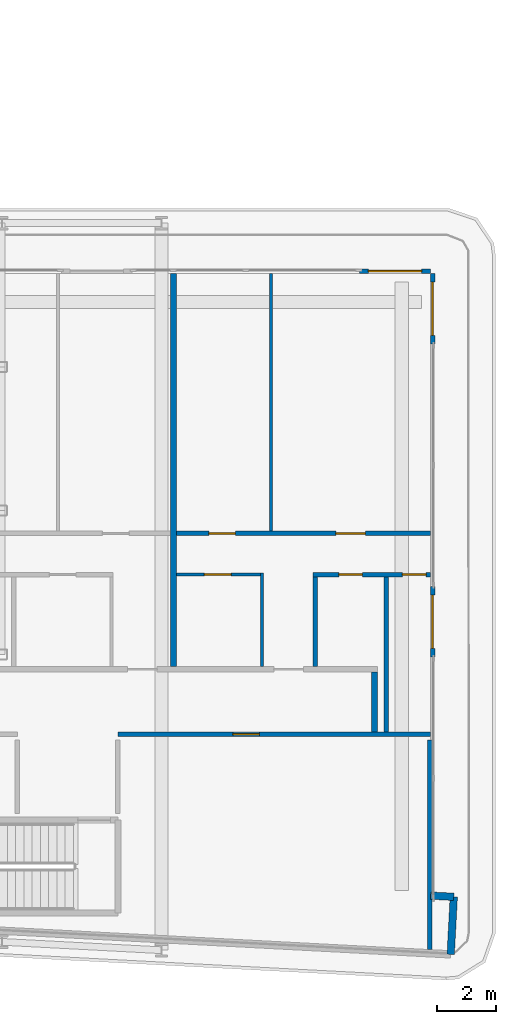
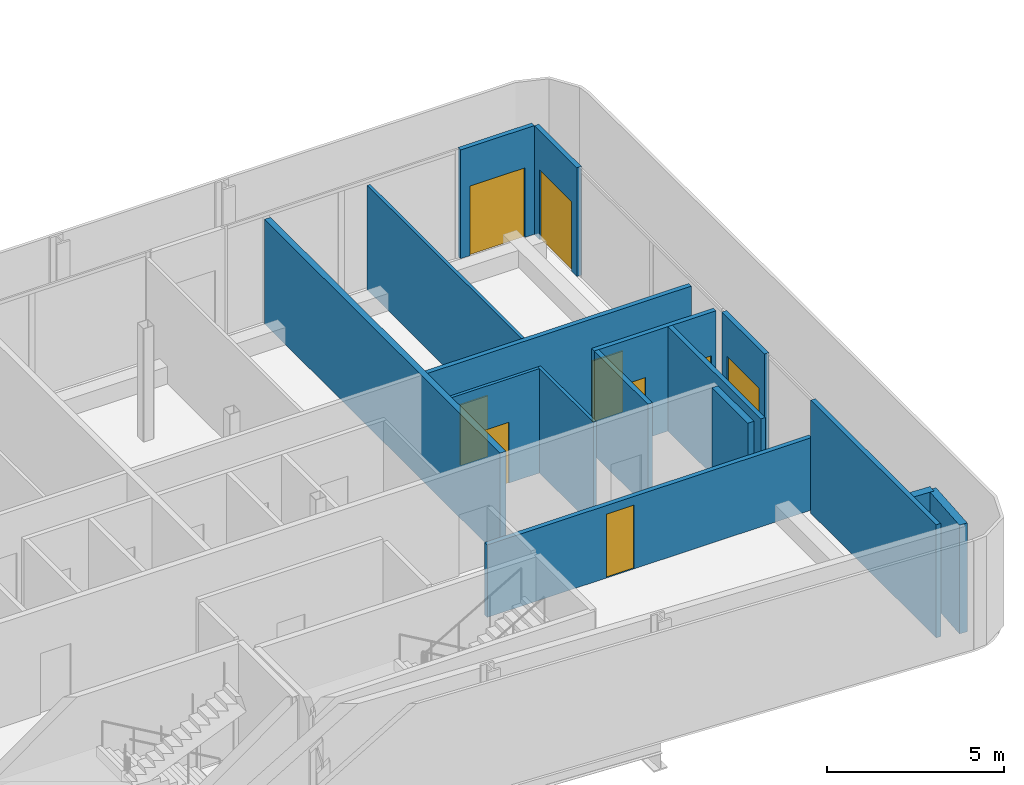
# One storey, part 19 of 28: 16 walls, 9 doors, 9 openings.
"""IFC4 building model written with IfcOpenShell, lengths in metres."""

from ifc_helpers import new_model, si_unit, direction, frame, frame_2d, origin, place, context, subcontext, project, spatial, rectangle, extrude, source, transform, mapped, material, layer, layer_set, type_object, element, fill, save


model = new_model("IFC4")

# Units and contexts
model_context = context("Model", 3, precision=1e-05, world=origin(), true_north=direction((0.0, 1.0)))
body_context = subcontext(model_context, "Body", "Model", "MODEL_VIEW")
ifc_project = project(units=[si_unit("LENGTHUNIT", "METRE"), si_unit("AREAUNIT", "SQUARE_METRE"), si_unit("VOLUMEUNIT", "CUBIC_METRE"), si_unit("PLANEANGLEUNIT", "RADIAN"), si_unit("MASSUNIT", "GRAM", prefix="KILO")], contexts=[model_context])

# Site, building, storey
site_placement = place(None, origin())
site = spatial("IfcSite", under=ifc_project, at=site_placement, CompositionType="ELEMENT")
building_placement = place(site_placement, origin())
building = spatial("IfcBuilding", under=site, at=building_placement, Name="Kheshtan School and Residences Tower", CompositionType="ELEMENT")
storey_placement = place(building_placement, frame((0.0, 0.0, 125.300048828125)))
storey = spatial("IfcBuildingStorey", under=building, at=storey_placement, Name="L29", CompositionType="ELEMENT", Elevation=125.300048828125)

# Walls
ifc_material_1 = material(Name="Gypsum board on steel studs with fire boards", Category="steel")
ifc_layer_1 = layer(ifc_material_1, 0.199951171875)
ifc_layer_set_1 = layer_set([ifc_layer_1], Name="Corridor wall 200")
wall_type_1 = type_object("IfcWallType", Name="Corridor wall 200", PredefinedType="PARTITIONING", material=ifc_layer_set_1)
wall_1_placement = place(storey_placement, frame((98.0, 28.3740234375, 0.0), z_axis=(0.0, 0.0, 1.0), x_axis=(0.0, 1.0, 0.0)))
element("IfcWall", 1, at=wall_1_placement, inside=storey, type_object=wall_type_1, Name="Partition L29-086", PredefinedType="PARTITIONING", context=body_context, shape_type="SweptSolid", body=[
    extrude(rectangle(XDim=2.02587890625, YDim=0.199951171875, at=frame_2d((1.012939453125, 0.0))), origin(), (0.0, 0.0, 1.0), 3.599853515625),
])
ifc_material_2 = material(Name="Concrete C40/50 with ceramic cladding and mineral wool insulation", Category="concrete")
ifc_layer_2 = layer(ifc_material_2, 0.25)
ifc_layer_set_2 = layer_set([ifc_layer_2], Name="External wall 250 ceramic clad")
wall_type_2 = type_object("IfcWallType", Name="External wall 250 ceramic clad", PredefinedType="SOLIDWALL", material=ifc_layer_set_2)
wall_2_placement = place(storey_placement, frame((99.906982421875, 22.839111328125, 0.0), z_axis=(0.0, 0.0, 1.0), x_axis=(0.998561284263, -0.053622398031, 0.0)))
element("IfcWall", 2, at=wall_2_placement, inside=storey, type_object=wall_type_2, Name="External wall L29 14", PredefinedType="SOLIDWALL", context=body_context, shape_type="SweptSolid", body=[
    extrude(rectangle(XDim=0.783203125, YDim=0.25, at=frame_2d((0.3916015625, 0.0))), origin(), (0.0, 0.0, 1.0), 3.75),
])
wall_3_placement = place(storey_placement, frame((100.68896484375, 22.797119140625, 0.0), z_axis=(0.0, 0.0, 1.0), x_axis=(-0.052841433274, -0.998602915542, 0.0)))
element("IfcWall", 3, at=wall_3_placement, inside=storey, type_object=wall_type_2, Name="External wall L29 15", PredefinedType="SOLIDWALL", context=body_context, shape_type="SweptSolid", body=[
    extrude(rectangle(XDim=1.94970703125, YDim=0.25, at=frame_2d((0.974853515625, 0.0))), origin(), (0.0, 0.0, 1.0), 3.75),
])

# Wall, opening, door
ifc_material_3 = material(Name="Aluminium frame wall with insulated infill", Category="aluminium")
ifc_layer_3 = layer(ifc_material_3, 0.14990234375)
ifc_layer_set_3 = layer_set([ifc_layer_3], Name="Glazing frame wall 150")
wall_type_3 = type_object("IfcWallType", Name="Glazing frame wall 150", PredefinedType="SOLIDWALL", material=ifc_layer_set_3)
wall_4_placement = place(storey_placement, frame((97.5, 43.97509765625, 0.0), z_axis=(0.0, 0.0, 1.0), x_axis=(1.0, 0.0, 0.0)))
wall_4 = element("IfcWall", 4, at=wall_4_placement, inside=storey, type_object=wall_type_3, Name="Balcony door wall L29 12.5", PredefinedType="SOLIDWALL", context=body_context, shape_type="SweptSolid", body=[
    extrude(rectangle(XDim=2.39990234375, YDim=0.14990234375, at=frame_2d((1.199951171875, 0.0))), origin(), (0.0, 0.0, 1.0), 3.75),
])
opening_1_placement = place(wall_4_placement, frame((0.300048828125, 0.0, 0.0)))
opening_1 = element("IfcOpeningElement", 5, at=opening_1_placement, cuts=wall_4, Name="Opening BD", PredefinedType="OPENING", context=body_context, shape_type="SweptSolid", body=[
    extrude(rectangle(XDim=1.800048828125, YDim=2.39990234375, at=frame_2d((0.89990234375, 1.199951171875))), frame((0.0, 0.0849609375, 0.0), z_axis=(0.0, -1.0, 0.0), x_axis=(1.0, 0.0, 0.0)), (0.0, 0.0, 1.0), 0.169921875),
])
ifc_material_4 = material(Name="Clear low-e glass in thermally broken aluminium frame", Category="aluminium")
door_type_1 = type_object("IfcDoorType", Name="Balcony sliding door", OperationType="SLIDING_TO_LEFT", PredefinedType="DOOR", material=ifc_material_4)
shared_shape_1 = source(origin(), body_context, "Body", "SweptSolid", [
    extrude(rectangle(XDim=1.800048828125, YDim=2.39990234375, at=frame_2d((0.89990234375, 1.199951171875))), frame((0.0, 0.02490234375, 0.0), z_axis=(0.0, -1.0, 0.0), x_axis=(1.0, 0.0, 0.0)), (0.0, 0.0, 1.0), 0.050048828125),
])
door_1_placement = place(opening_1_placement, origin())
door_1 = element("IfcDoor", 6, at=door_1_placement, inside=storey, type_object=door_type_1, Name="Balcony door L29 12.5", OperationType="SLIDING_TO_LEFT", OverallHeight=2.39990234375, OverallWidth=1.800048828125, PredefinedType="DOOR", context=body_context, shape_type="MappedRepresentation", body=[
    mapped(shared_shape_1, transform((0.0, 0.0, 0.0), x_axis=(1.0, 0.0, 0.0), y_axis=(0.0, 1.0, 0.0), z_axis=(0.0, 0.0, 1.0), scale=1.0)),
])
fill(opening_1, door_1)

wall_5_placement = place(storey_placement, frame((99.97509765625, 43.89990234375, 0.0), z_axis=(0.0, 0.0, 1.0), x_axis=(0.0, -1.0, 0.0)))
wall_5 = element("IfcWall", 7, at=wall_5_placement, inside=storey, type_object=wall_type_3, Name="Balcony door wall L29 13.1", PredefinedType="SOLIDWALL", context=body_context, shape_type="SweptSolid", body=[
    extrude(rectangle(XDim=2.39990234375, YDim=0.14990234375, at=frame_2d((1.199951171875, 0.0))), origin(), (0.0, 0.0, 1.0), 3.75),
])
opening_2_placement = place(wall_5_placement, frame((0.300048828125, 0.0, 0.0)))
opening_2 = element("IfcOpeningElement", 8, at=opening_2_placement, cuts=wall_5, Name="Opening BD", PredefinedType="OPENING", context=body_context, shape_type="SweptSolid", body=[
    extrude(rectangle(XDim=1.800048828125, YDim=2.39990234375, at=frame_2d((0.89990234375, 1.199951171875))), frame((0.0, 0.0849609375, 0.0), z_axis=(0.0, -1.0, 0.0), x_axis=(1.0, 0.0, 0.0)), (0.0, 0.0, 1.0), 0.169921875),
])
door_2_placement = place(opening_2_placement, origin())
door_2 = element("IfcDoor", 9, at=door_2_placement, inside=storey, type_object=door_type_1, Name="Balcony door L29 13.1", OperationType="SLIDING_TO_LEFT", OverallHeight=2.39990234375, OverallWidth=1.800048828125, PredefinedType="DOOR", context=body_context, shape_type="MappedRepresentation", body=[
    mapped(shared_shape_1, transform((0.0, 0.0, 0.0), x_axis=(1.0, 0.0, 0.0), y_axis=(0.0, 1.0, 0.0), z_axis=(0.0, 0.0, 1.0), scale=1.0)),
])
fill(opening_2, door_2)

wall_6_placement = place(storey_placement, frame((99.97509765625, 33.306884765625, 0.0), z_axis=(0.0, 0.0, 1.0), x_axis=(0.0, -1.0, 0.0)))
wall_6 = element("IfcWall", 10, at=wall_6_placement, inside=storey, type_object=wall_type_3, Name="Balcony door wall L29 13.2", PredefinedType="SOLIDWALL", context=body_context, shape_type="SweptSolid", body=[
    extrude(rectangle(XDim=2.39990234375, YDim=0.14990234375, at=frame_2d((1.199951171875, 0.0))), origin(), (0.0, 0.0, 1.0), 3.75),
])
opening_3_placement = place(wall_6_placement, frame((0.300048828125, 0.0, 0.0)))
opening_3 = element("IfcOpeningElement", 11, at=opening_3_placement, cuts=wall_6, Name="Opening BD", PredefinedType="OPENING", context=body_context, shape_type="SweptSolid", body=[
    extrude(rectangle(XDim=1.800048828125, YDim=2.39990234375, at=frame_2d((0.89990234375, 1.199951171875))), frame((0.0, 0.0849609375, 0.0), z_axis=(0.0, -1.0, 0.0), x_axis=(1.0, 0.0, 0.0)), (0.0, 0.0, 1.0), 0.169921875),
])
door_3_placement = place(opening_3_placement, origin())
door_3 = element("IfcDoor", 12, at=door_3_placement, inside=storey, type_object=door_type_1, Name="Balcony door L29 13.2", OperationType="SLIDING_TO_LEFT", OverallHeight=2.39990234375, OverallWidth=1.800048828125, PredefinedType="DOOR", context=body_context, shape_type="MappedRepresentation", body=[
    mapped(shared_shape_1, transform((0.0, 0.0, 0.0), x_axis=(1.0, 0.0, 0.0), y_axis=(0.0, 1.0, 0.0), z_axis=(0.0, 0.0, 1.0), scale=1.0)),
])
fill(opening_3, door_3)

ifc_material_5 = material(Name="Gypsum board on steel studs", Category="steel")
ifc_layer_4 = layer(ifc_material_5, 0.10009765625)
ifc_layer_set_4 = layer_set([ifc_layer_4], Name="Gypsum partition 100")
wall_type_4 = type_object("IfcWallType", Name="Gypsum partition 100", PredefinedType="PARTITIONING", material=ifc_layer_set_4)
wall_7_placement = place(storey_placement, frame((91.300048828125, 33.699951171875, 0.0), z_axis=(0.0, 0.0, 1.0), x_axis=(1.0, 0.0, 0.0)))
wall_7 = element("IfcWall", 13, at=wall_7_placement, inside=storey, type_object=wall_type_4, Name="Partition L29-080", PredefinedType="PARTITIONING", context=body_context, shape_type="SweptSolid", body=[
    extrude(rectangle(XDim=2.849853515625, YDim=0.10009765625, at=frame_2d((1.4248046875, 0.0))), origin(), (0.0, 0.0, 1.0), 3.599853515625),
])
opening_4_placement = place(wall_7_placement, frame((0.949951171875, 0.0, 0.0)))
opening_4 = element("IfcOpeningElement", 14, at=opening_4_placement, cuts=wall_7, Name="Opening D29-030", PredefinedType="OPENING", context=body_context, shape_type="SweptSolid", body=[
    extrude(rectangle(XDim=0.89990234375, YDim=2.10009765625, at=frame_2d((0.449951171875, 1.050048828125))), frame((0.0, 0.06005859375, 0.0), z_axis=(0.0, -1.0, 0.0), x_axis=(1.0, 0.0, 0.0)), (0.0, 0.0, 1.0), 0.1201171875),
])
ifc_material_6 = material(Name="Veneered timber door leaf", Category="wood")
door_type_2 = type_object("IfcDoorType", Name="Door 900 x 2100", OperationType="SINGLE_SWING_LEFT", PredefinedType="DOOR", material=ifc_material_6)
shared_shape_2 = source(origin(), body_context, "Body", "SweptSolid", [
    extrude(rectangle(XDim=0.89990234375, YDim=2.10009765625, at=frame_2d((0.449951171875, 1.050048828125))), frame((0.0, 0.02490234375, 0.0), z_axis=(0.0, -1.0, 0.0), x_axis=(1.0, 0.0, 0.0)), (0.0, 0.0, 1.0), 0.050048828125),
])
door_4_placement = place(opening_4_placement, origin())
door_4 = element("IfcDoor", 15, at=door_4_placement, inside=storey, type_object=door_type_2, Name="Door D29-030", OperationType="SINGLE_SWING_RIGHT", OverallHeight=2.10009765625, OverallWidth=0.89990234375, PredefinedType="DOOR", context=body_context, shape_type="MappedRepresentation", body=[
    mapped(shared_shape_2, transform((0.0, 0.0, 0.0), x_axis=(1.0, 0.0, 0.0), y_axis=(0.0, 1.0, 0.0), z_axis=(0.0, 0.0, 1.0), scale=1.0)),
])
fill(opening_4, door_4)

# Walls
wall_8_placement = place(storey_placement, frame((94.199951171875, 30.60009765625, 0.0), z_axis=(0.0, 0.0, 1.0), x_axis=(0.0, 1.0, 0.0)))
element("IfcWall", 16, at=wall_8_placement, inside=storey, type_object=wall_type_4, Name="Partition L29-082", PredefinedType="PARTITIONING", context=body_context, shape_type="SweptSolid", body=[
    extrude(rectangle(XDim=3.14990234375, YDim=0.10009765625, at=frame_2d((1.574951171875, 0.0))), origin(), (0.0, 0.0, 1.0), 3.599853515625),
])
wall_9_placement = place(storey_placement, frame((94.5, 35.175048828125, 0.0), z_axis=(0.0, 0.0, 1.0), x_axis=(0.0, 1.0, 0.0)))
element("IfcWall", 17, at=wall_9_placement, inside=storey, type_object=wall_type_4, Name="Partition L29-083", PredefinedType="PARTITIONING", context=body_context, shape_type="SweptSolid", body=[
    extrude(rectangle(XDim=8.724853515625, YDim=0.10009765625, at=frame_2d((4.3623046875, 0.0))), origin(), (0.0, 0.0, 1.0), 3.599853515625),
])

# Wall, opening, door
ifc_material_7 = material(Name="Fire-board shaft wall system")
ifc_layer_5 = layer(ifc_material_7, 0.14990234375)
ifc_layer_set_5 = layer_set([ifc_layer_5], Name="Service room wall 150")
wall_type_5 = type_object("IfcWallType", Name="Service room wall 150", PredefinedType="PARTITIONING", material=ifc_layer_set_5)
wall_10_placement = place(storey_placement, frame((89.320068359375, 28.300048828125, 0.0), z_axis=(0.0, 0.0, 1.0), x_axis=(1.0, 0.0, 0.0)))
wall_10 = element("IfcWall", 18, at=wall_10_placement, inside=storey, type_object=wall_type_5, Name="Service room wall", PredefinedType="PARTITIONING", context=body_context, shape_type="SweptSolid", body=[
    extrude(rectangle(XDim=10.577880859375, YDim=0.14990234375, at=frame_2d((5.2890625, 0.0))), origin(), (0.0, 0.0, 1.0), 2.5),
])
opening_5_placement = place(wall_10_placement, frame((3.889892578125, 0.0, 0.0)))
opening_5 = element("IfcOpeningElement", 19, at=opening_5_placement, cuts=wall_10, Name="Opening SR90", PredefinedType="OPENING", context=body_context, shape_type="SweptSolid", body=[
    extrude(rectangle(XDim=0.89990234375, YDim=2.199951171875, at=frame_2d((0.449951171875, 1.10009765625))), frame((0.0, 0.0849609375, 0.0), z_axis=(0.0, -1.0, 0.0), x_axis=(1.0, 0.0, 0.0)), (0.0, 0.0, 1.0), 0.169921875),
])
ifc_material_8 = material(Name="Steel door leaf, galvanised", Category="steel")
door_type_3 = type_object("IfcDoorType", Name="Service room door 900 steel 90 min", OperationType="SINGLE_SWING_LEFT", PredefinedType="DOOR", material=ifc_material_8)
shared_shape_3 = source(origin(), body_context, "Body", "SweptSolid", [
    extrude(rectangle(XDim=0.89990234375, YDim=2.199951171875, at=frame_2d((0.449951171875, 1.10009765625))), frame((0.0, 0.02490234375, 0.0), z_axis=(0.0, -1.0, 0.0), x_axis=(1.0, 0.0, 0.0)), (0.0, 0.0, 1.0), 0.050048828125),
])
door_5_placement = place(opening_5_placement, origin())
door_5 = element("IfcDoor", 20, at=door_5_placement, inside=storey, type_object=door_type_3, Name="Service room door", OperationType="SINGLE_SWING_RIGHT", OverallHeight=2.199951171875, OverallWidth=0.89990234375, PredefinedType="DOOR", context=body_context, shape_type="MappedRepresentation", body=[
    mapped(shared_shape_3, transform((0.0, 0.0, 0.0), x_axis=(1.0, 0.0, 0.0), y_axis=(0.0, 1.0, 0.0), z_axis=(0.0, 0.0, 1.0), scale=1.0)),
])
fill(opening_5, door_5)

# Walls
wall_11_placement = place(storey_placement, frame((99.8701171875, 21.014892578125, 0.0), z_axis=(0.0, 0.0, 1.0), x_axis=(0.0, 1.0, 0.0)))
element("IfcWall", 21, at=wall_11_placement, inside=storey, type_object=wall_type_5, Name="Service room wall", PredefinedType="PARTITIONING", context=body_context, shape_type="SweptSolid", body=[
    extrude(rectangle(XDim=7.090087890625, YDim=0.14990234375, at=frame_2d((3.544921875, 0.0))), origin(), (0.0, 0.0, 1.0), 3.89990234375),
])
ifc_material_9 = material(Name="Twin gypsum board on steel studs with mineral wool", Category="steel")
ifc_layer_6 = layer(ifc_material_9, 0.199951171875)
ifc_layer_set_6 = layer_set([ifc_layer_6], Name="Unit demising wall 200")
wall_type_6 = type_object("IfcWallType", Name="Unit demising wall 200", PredefinedType="PARTITIONING", material=ifc_layer_set_6)
wall_12_placement = place(storey_placement, frame((91.199951171875, 30.60009765625, 0.0), z_axis=(0.0, 0.0, 1.0), x_axis=(0.0, 1.0, 0.0)))
element("IfcWall", 22, at=wall_12_placement, inside=storey, type_object=wall_type_6, Name="Partition L29-079", PredefinedType="PARTITIONING", context=body_context, shape_type="SweptSolid", body=[
    extrude(rectangle(XDim=13.2998046875, YDim=0.199951171875, at=frame_2d((6.64990234375, 0.0))), origin(), (0.0, 0.0, 1.0), 3.599853515625),
])

# Wall, openings, doors
ifc_material_10 = material(Name="Moisture-resistant gypsum board on steel studs", Category="steel")
ifc_layer_7 = layer(ifc_material_10, 0.14990234375)
ifc_layer_set_7 = layer_set([ifc_layer_7], Name="Wet-room partition 150")
wall_type_7 = type_object("IfcWallType", Name="Wet-room partition 150", PredefinedType="PARTITIONING", material=ifc_layer_set_7)
wall_13_placement = place(storey_placement, frame((91.300048828125, 35.10009765625, 0.0), z_axis=(0.0, 0.0, 1.0), x_axis=(1.0, 0.0, 0.0)))
wall_13 = element("IfcWall", 23, at=wall_13_placement, inside=storey, type_object=wall_type_7, Name="Partition L29-081", PredefinedType="PARTITIONING", context=body_context, shape_type="SweptSolid", body=[
    extrude(rectangle(XDim=8.599853515625, YDim=0.14990234375, at=frame_2d((4.2998046875, 0.0))), origin(), (0.0, 0.0, 1.0), 3.599853515625),
])
opening_6_placement = place(wall_13_placement, frame((1.10009765625, 0.0, 0.0)))
opening_6 = element("IfcOpeningElement", 24, at=opening_6_placement, cuts=wall_13, Name="Opening D29-028", PredefinedType="OPENING", context=body_context, shape_type="SweptSolid", body=[
    extrude(rectangle(XDim=0.89990234375, YDim=2.10009765625, at=frame_2d((0.449951171875, 1.050048828125))), frame((0.0, 0.0849609375, 0.0), z_axis=(0.0, -1.0, 0.0), x_axis=(1.0, 0.0, 0.0)), (0.0, 0.0, 1.0), 0.169921875),
])
opening_7_placement = place(wall_13_placement, frame((5.39990234375, 0.0, 0.0)))
opening_7 = element("IfcOpeningElement", 25, at=opening_7_placement, cuts=wall_13, Name="Opening D29-031", PredefinedType="OPENING", context=body_context, shape_type="SweptSolid", body=[
    extrude(rectangle(XDim=1.0, YDim=2.10009765625, at=frame_2d((0.5, 1.050048828125))), frame((0.0, 0.0849609375, 0.0), z_axis=(0.0, -1.0, 0.0), x_axis=(1.0, 0.0, 0.0)), (0.0, 0.0, 1.0), 0.169921875),
])
door_type_4 = type_object("IfcDoorType", Name="Door 1000 x 2100", OperationType="SINGLE_SWING_LEFT", PredefinedType="DOOR", material=ifc_material_6)
shared_shape_4 = source(origin(), body_context, "Body", "SweptSolid", [
    extrude(rectangle(XDim=1.0, YDim=2.10009765625, at=frame_2d((0.5, 1.050048828125))), frame((0.0, 0.02490234375, 0.0), z_axis=(0.0, -1.0, 0.0), x_axis=(1.0, 0.0, 0.0)), (0.0, 0.0, 1.0), 0.050048828125),
])
door_6_placement = place(opening_7_placement, origin())
door_6 = element("IfcDoor", 26, at=door_6_placement, inside=storey, type_object=door_type_4, Name="Door D29-031", OperationType="SINGLE_SWING_LEFT", OverallHeight=2.10009765625, OverallWidth=1.0, PredefinedType="DOOR", context=body_context, shape_type="MappedRepresentation", body=[
    mapped(shared_shape_4, transform((0.0, 0.0, 0.0), x_axis=(1.0, 0.0, 0.0), y_axis=(0.0, 1.0, 0.0), z_axis=(0.0, 0.0, 1.0), scale=1.0)),
])
fill(opening_7, door_6)
door_7_placement = place(opening_6_placement, origin())
door_7 = element("IfcDoor", 27, at=door_7_placement, inside=storey, type_object=door_type_2, Name="Door D29-028", OperationType="SINGLE_SWING_RIGHT", OverallHeight=2.10009765625, OverallWidth=0.89990234375, PredefinedType="DOOR", context=body_context, shape_type="MappedRepresentation", body=[
    mapped(shared_shape_2, transform((0.0, 0.0, 0.0), x_axis=(1.0, 0.0, 0.0), y_axis=(0.0, 1.0, 0.0), z_axis=(0.0, 0.0, 1.0), scale=1.0)),
])
fill(opening_6, door_7)

wall_14_placement = place(storey_placement, frame((95.925048828125, 33.699951171875, 0.0), z_axis=(0.0, 0.0, 1.0), x_axis=(1.0, 0.0, 0.0)))
wall_14 = element("IfcWall", 28, at=wall_14_placement, inside=storey, type_object=wall_type_7, Name="Partition L29-084", PredefinedType="PARTITIONING", context=body_context, shape_type="SweptSolid", body=[
    extrude(rectangle(XDim=3.974853515625, YDim=0.14990234375, at=frame_2d((1.9873046875, 0.0))), origin(), (0.0, 0.0, 1.0), 3.599853515625),
])
opening_8_placement = place(wall_14_placement, frame((0.875, 0.0, 0.0)))
opening_8 = element("IfcOpeningElement", 29, at=opening_8_placement, cuts=wall_14, Name="Opening D29-027", PredefinedType="OPENING", context=body_context, shape_type="SweptSolid", body=[
    extrude(rectangle(XDim=0.800048828125, YDim=2.10009765625, at=frame_2d((0.39990234375, 1.050048828125))), frame((0.0, 0.0849609375, 0.0), z_axis=(0.0, -1.0, 0.0), x_axis=(1.0, 0.0, 0.0)), (0.0, 0.0, 1.0), 0.169921875),
])
opening_9_placement = place(wall_14_placement, frame((3.02490234375, 0.0, 0.0)))
opening_9 = element("IfcOpeningElement", 30, at=opening_9_placement, cuts=wall_14, Name="Opening D29-032", PredefinedType="OPENING", context=body_context, shape_type="SweptSolid", body=[
    extrude(rectangle(XDim=0.800048828125, YDim=2.10009765625, at=frame_2d((0.39990234375, 1.050048828125))), frame((0.0, 0.0849609375, 0.0), z_axis=(0.0, -1.0, 0.0), x_axis=(1.0, 0.0, 0.0)), (0.0, 0.0, 1.0), 0.169921875),
])
door_type_5 = type_object("IfcDoorType", Name="Door 800 x 2100", OperationType="SINGLE_SWING_LEFT", PredefinedType="DOOR", material=ifc_material_6)
shared_shape_5 = source(origin(), body_context, "Body", "SweptSolid", [
    extrude(rectangle(XDim=0.800048828125, YDim=2.10009765625, at=frame_2d((0.39990234375, 1.050048828125))), frame((0.0, 0.02490234375, 0.0), z_axis=(0.0, -1.0, 0.0), x_axis=(1.0, 0.0, 0.0)), (0.0, 0.0, 1.0), 0.050048828125),
])
door_8_placement = place(opening_8_placement, origin())
door_8 = element("IfcDoor", 31, at=door_8_placement, inside=storey, type_object=door_type_5, Name="Door D29-027", OperationType="SINGLE_SWING_RIGHT", OverallHeight=2.10009765625, OverallWidth=0.800048828125, PredefinedType="DOOR", context=body_context, shape_type="MappedRepresentation", body=[
    mapped(shared_shape_5, transform((0.0, 0.0, 0.0), x_axis=(1.0, 0.0, 0.0), y_axis=(0.0, 1.0, 0.0), z_axis=(0.0, 0.0, 1.0), scale=1.0)),
])
fill(opening_8, door_8)
door_9_placement = place(opening_9_placement, origin())
door_9 = element("IfcDoor", 32, at=door_9_placement, inside=storey, type_object=door_type_5, Name="Door D29-032", OperationType="SINGLE_SWING_RIGHT", OverallHeight=2.10009765625, OverallWidth=0.800048828125, PredefinedType="DOOR", context=body_context, shape_type="MappedRepresentation", body=[
    mapped(shared_shape_5, transform((0.0, 0.0, 0.0), x_axis=(1.0, 0.0, 0.0), y_axis=(0.0, 1.0, 0.0), z_axis=(0.0, 0.0, 1.0), scale=1.0)),
])
fill(opening_9, door_9)

# Walls
wall_15_placement = place(storey_placement, frame((96.0, 30.60009765625, 0.0), z_axis=(0.0, 0.0, 1.0), x_axis=(0.0, 1.0, 0.0)))
element("IfcWall", 33, at=wall_15_placement, inside=storey, type_object=wall_type_7, Name="Partition L29-085", PredefinedType="PARTITIONING", context=body_context, shape_type="SweptSolid", body=[
    extrude(rectangle(XDim=3.02490234375, YDim=0.14990234375, at=frame_2d((1.512451171875, 0.0))), origin(), (0.0, 0.0, 1.0), 3.599853515625),
])
wall_16_placement = place(storey_placement, frame((98.39990234375, 28.3740234375, 0.0), z_axis=(0.0, 0.0, 1.0), x_axis=(0.0, 1.0, 0.0)))
element("IfcWall", 34, at=wall_16_placement, inside=storey, type_object=wall_type_7, Name="Partition L29-087", PredefinedType="PARTITIONING", context=body_context, shape_type="SweptSolid", body=[
    extrude(rectangle(XDim=5.2509765625, YDim=0.14990234375, at=frame_2d((2.62548828125, 0.0))), origin(), (0.0, 0.0, 1.0), 3.599853515625),
])

save(model, "model.ifc")
